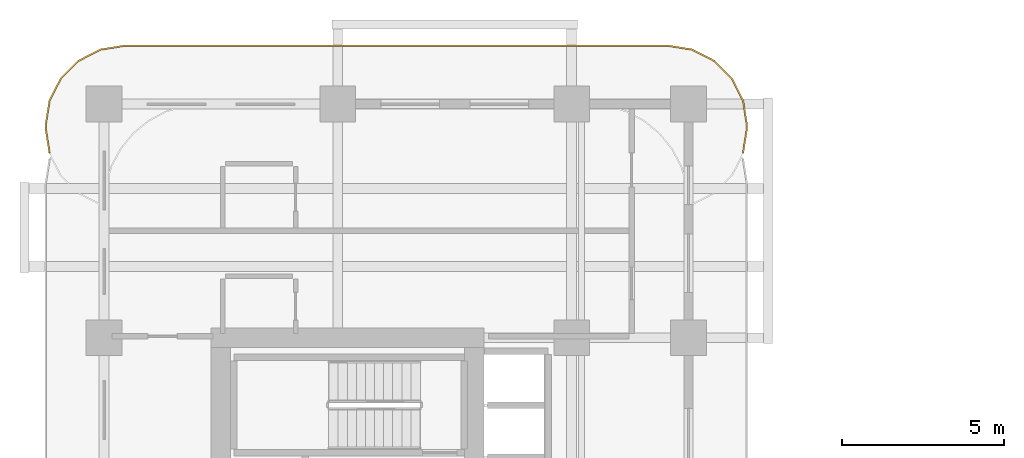
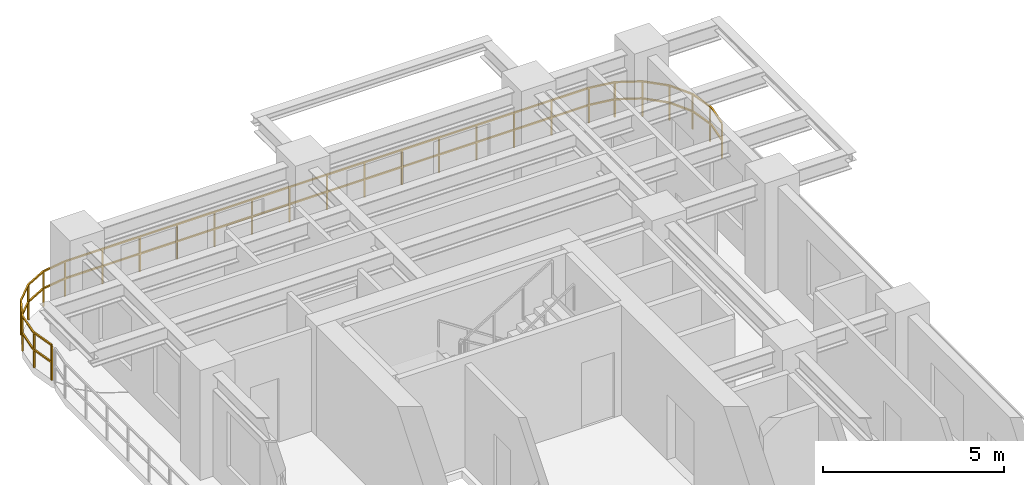
# One storey, part 18 of 18: 1 railing.
"""IFC4 building model written with IfcOpenShell, lengths in metres."""

from ifc_helpers import new_model, si_unit, derived_unit, direction, frame, origin, origin_2d, place, context, subcontext, project, spatial, rectangle, extrude, material, type_object, element, save


model = new_model("IFC4")

# Units and contexts
model_context = context("Model", 3, precision=1e-05, world=origin(), true_north=direction((0.0, 1.0)))
body_context = subcontext(model_context, "Body", "Model", "MODEL_VIEW")
ifc_project = project(units=[si_unit("LENGTHUNIT", "METRE"), si_unit("AREAUNIT", "SQUARE_METRE"), si_unit("VOLUMEUNIT", "CUBIC_METRE"), si_unit("PLANEANGLEUNIT", "RADIAN"), si_unit("MASSUNIT", "GRAM", prefix="KILO"), si_unit("THERMODYNAMICTEMPERATUREUNIT", "KELVIN"), si_unit("POWERUNIT", "WATT"), derived_unit("THERMALTRANSMITTANCEUNIT", [(si_unit("POWERUNIT", "WATT"), 1), (si_unit("AREAUNIT", "SQUARE_METRE"), -1), (si_unit("THERMODYNAMICTEMPERATUREUNIT", "KELVIN"), -1)])], contexts=[model_context])

# Site, building, storey
site_placement = place(None, origin())
site = spatial("IfcSite", under=ifc_project, at=site_placement, CompositionType="ELEMENT")
building_placement = place(site_placement, origin())
building = spatial("IfcBuilding", under=site, at=building_placement, Name="Zahravan Archway Hotel and Residences", CompositionType="ELEMENT")
storey_placement = place(building_placement, frame((0.0, 0.0, 36.10009765625)))
storey = spatial("IfcBuildingStorey", under=building, at=storey_placement, Name="L07", CompositionType="ELEMENT", Elevation=36.10009765625)

# Railing
ifc_material = material(Name="Bronze & Laminated Glass Balustrade", Category="glass")
railing_type = type_object("IfcRailingType", Name="RL-BAL-1200", PredefinedType="BALUSTRADE", material=ifc_material)
railing_placement = place(storey_placement, frame((-1.68017578125, 45.29296875, 0.0)))
element("IfcRailing", 1, at=railing_placement, inside=storey, type_object=railing_type, Name="L07 Balustrade RL-SLB-BAL-L07-NB-1", PredefinedType="BALUSTRADE", context=body_context, shape_type="SweptSolid", body=[
    extrude(rectangle(XDim=0.048095703125, YDim=0.048095703125, at=origin_2d()), frame((0.0, 0.0, 1.17578125), z_axis=(-0.156387811283, 0.987695728695, 0.0), x_axis=(-0.987695728695, -0.156387811283, 0.0)), (0.0, 0.0, 1.0), 0.7666015625),
    extrude(rectangle(XDim=0.048095703125, YDim=0.048095703125, at=origin_2d()), frame((0.0, 0.0, 0.60009765625), z_axis=(-0.156387811283, 0.987695728695, 0.0), x_axis=(-0.987695728695, -0.156387811283, 0.0)), (0.0, 0.0, 1.0), 0.7666015625),
    extrude(rectangle(XDim=0.048095703125, YDim=0.048095703125, at=origin_2d()), frame((-0.119873046875, 0.757080078125, 1.17578125), z_axis=(0.0, 1.0, 0.0), x_axis=(-1.0, 0.0, 0.0)), (0.0, 0.0, 1.0), 0.099853515625),
    extrude(rectangle(XDim=0.048095703125, YDim=0.048095703125, at=origin_2d()), frame((-0.119873046875, 0.757080078125, 0.60009765625), z_axis=(0.0, 1.0, 0.0), x_axis=(-1.0, 0.0, 0.0)), (0.0, 0.0, 1.0), 0.099853515625),
    extrude(rectangle(XDim=0.048095703125, YDim=0.048095703125, at=origin_2d()), frame((-0.119873046875, 0.85693359375, 1.17578125), z_axis=(0.156387811283, 0.987695728695, 0.0), x_axis=(-0.987695728695, 0.156387811283, 0.0)), (0.0, 0.0, 1.0), 0.7666015625),
    extrude(rectangle(XDim=0.048095703125, YDim=0.048095703125, at=origin_2d()), frame((-0.119873046875, 0.85693359375, 0.60009765625), z_axis=(0.156387811283, 0.987695728695, 0.0), x_axis=(-0.987695728695, 0.156387811283, 0.0)), (0.0, 0.0, 1.0), 0.7666015625),
    extrude(rectangle(XDim=0.048095703125, YDim=0.048095703125, at=origin_2d()), frame((0.0, 1.614013671875, 1.17578125), z_axis=(0.454078418624, 0.890961721815, 0.0), x_axis=(-0.890961721815, 0.454078418624, 0.0)), (0.0, 0.0, 1.0), 0.7666015625),
    extrude(rectangle(XDim=0.048095703125, YDim=0.048095703125, at=origin_2d()), frame((0.0, 1.614013671875, 0.60009765625), z_axis=(0.454078418624, 0.890961721815, 0.0), x_axis=(-0.890961721815, 0.454078418624, 0.0)), (0.0, 0.0, 1.0), 0.7666015625),
    extrude(rectangle(XDim=0.048095703125, YDim=0.048095703125, at=origin_2d()), frame((0.34814453125, 2.297119140625, 1.17578125), z_axis=(0.707106781187, 0.707106781187, 0.0), x_axis=(-0.707106781187, 0.707106781187, 0.0)), (0.0, 0.0, 1.0), 0.7666015625),
    extrude(rectangle(XDim=0.048095703125, YDim=0.048095703125, at=origin_2d()), frame((0.34814453125, 2.297119140625, 0.60009765625), z_axis=(0.707106781187, 0.707106781187, 0.0), x_axis=(-0.707106781187, 0.707106781187, 0.0)), (0.0, 0.0, 1.0), 0.7666015625),
    extrude(rectangle(XDim=0.048095703125, YDim=0.048095703125, at=origin_2d()), frame((0.89013671875, 2.839111328125, 1.17578125), z_axis=(0.891024909783, 0.453954414172, 0.0), x_axis=(-0.453954414172, 0.891024909783, 0.0)), (0.0, 0.0, 1.0), 0.766357421875),
    extrude(rectangle(XDim=0.048095703125, YDim=0.048095703125, at=origin_2d()), frame((0.89013671875, 2.839111328125, 0.60009765625), z_axis=(0.891024909783, 0.453954414172, 0.0), x_axis=(-0.453954414172, 0.891024909783, 0.0)), (0.0, 0.0, 1.0), 0.766357421875),
    extrude(rectangle(XDim=0.048095703125, YDim=0.048095703125, at=origin_2d()), frame((1.572998046875, 3.18701171875, 1.17578125), z_axis=(0.987646484274, 0.156698507018, 0.0), x_axis=(-0.156698507018, 0.987646484274, 0.0)), (0.0, 0.0, 1.0), 0.7666015625),
    extrude(rectangle(XDim=0.048095703125, YDim=0.048095703125, at=origin_2d()), frame((1.572998046875, 3.18701171875, 0.60009765625), z_axis=(0.987646484274, 0.156698507018, 0.0), x_axis=(-0.156698507018, 0.987646484274, 0.0)), (0.0, 0.0, 1.0), 0.7666015625),
    extrude(rectangle(XDim=0.048095703125, YDim=0.048095703125, at=origin_2d()), frame((2.330078125, 3.30712890625, 1.17578125), z_axis=(1.0, 0.0, 0.0), x_axis=(0.0, 1.0, 0.0)), (0.0, 0.0, 1.0), 16.7001953125),
    extrude(rectangle(XDim=0.048095703125, YDim=0.048095703125, at=origin_2d()), frame((2.330078125, 3.30712890625, 0.60009765625), z_axis=(1.0, 0.0, 0.0), x_axis=(0.0, 1.0, 0.0)), (0.0, 0.0, 1.0), 16.7001953125),
    extrude(rectangle(XDim=0.048095703125, YDim=0.048095703125, at=origin_2d()), frame((19.0302734375, 3.30712890625, 1.17578125), z_axis=(0.987646484274, -0.156698507018, 0.0), x_axis=(0.156698507018, 0.987646484274, 0.0)), (0.0, 0.0, 1.0), 0.7666015625),
    extrude(rectangle(XDim=0.048095703125, YDim=0.048095703125, at=origin_2d()), frame((19.0302734375, 3.30712890625, 0.60009765625), z_axis=(0.987646484274, -0.156698507018, 0.0), x_axis=(0.156698507018, 0.987646484274, 0.0)), (0.0, 0.0, 1.0), 0.7666015625),
    extrude(rectangle(XDim=0.048095703125, YDim=0.048095703125, at=origin_2d()), frame((19.787353515625, 3.18701171875, 1.17578125), z_axis=(0.891024909783, -0.453954414172, 0.0), x_axis=(0.453954414172, 0.891024909783, 0.0)), (0.0, 0.0, 1.0), 0.766357421875),
    extrude(rectangle(XDim=0.048095703125, YDim=0.048095703125, at=origin_2d()), frame((19.787353515625, 3.18701171875, 0.60009765625), z_axis=(0.891024909783, -0.453954414172, 0.0), x_axis=(0.453954414172, 0.891024909783, 0.0)), (0.0, 0.0, 1.0), 0.766357421875),
    extrude(rectangle(XDim=0.048095703125, YDim=0.048095703125, at=origin_2d()), frame((20.47021484375, 2.839111328125, 1.17578125), z_axis=(0.707106781187, -0.707106781187, 0.0), x_axis=(0.707106781187, 0.707106781187, 0.0)), (0.0, 0.0, 1.0), 0.7666015625),
    extrude(rectangle(XDim=0.048095703125, YDim=0.048095703125, at=origin_2d()), frame((20.47021484375, 2.839111328125, 0.60009765625), z_axis=(0.707106781187, -0.707106781187, 0.0), x_axis=(0.707106781187, 0.707106781187, 0.0)), (0.0, 0.0, 1.0), 0.7666015625),
    extrude(rectangle(XDim=0.048095703125, YDim=0.048095703125, at=origin_2d()), frame((21.01220703125, 2.297119140625, 1.17578125), z_axis=(0.454078418624, -0.890961721815, 0.0), x_axis=(0.890961721815, 0.454078418624, 0.0)), (0.0, 0.0, 1.0), 0.7666015625),
    extrude(rectangle(XDim=0.048095703125, YDim=0.048095703125, at=origin_2d()), frame((21.01220703125, 2.297119140625, 0.60009765625), z_axis=(0.454078418624, -0.890961721815, 0.0), x_axis=(0.890961721815, 0.454078418624, 0.0)), (0.0, 0.0, 1.0), 0.7666015625),
    extrude(rectangle(XDim=0.048095703125, YDim=0.048095703125, at=origin_2d()), frame((21.3603515625, 1.614013671875, 1.17578125), z_axis=(0.156387811283, -0.987695728695, 0.0), x_axis=(0.987695728695, 0.156387811283, 0.0)), (0.0, 0.0, 1.0), 0.7666015625),
    extrude(rectangle(XDim=0.048095703125, YDim=0.048095703125, at=origin_2d()), frame((21.3603515625, 1.614013671875, 0.60009765625), z_axis=(0.156387811283, -0.987695728695, 0.0), x_axis=(0.987695728695, 0.156387811283, 0.0)), (0.0, 0.0, 1.0), 0.7666015625),
    extrude(rectangle(XDim=0.048095703125, YDim=0.048095703125, at=origin_2d()), frame((21.480224609375, 0.85693359375, 1.17578125), z_axis=(0.0, -1.0, 0.0), x_axis=(1.0, 0.0, 0.0)), (0.0, 0.0, 1.0), 0.099853515625),
    extrude(rectangle(XDim=0.048095703125, YDim=0.048095703125, at=origin_2d()), frame((21.480224609375, 0.85693359375, 0.60009765625), z_axis=(0.0, -1.0, 0.0), x_axis=(1.0, 0.0, 0.0)), (0.0, 0.0, 1.0), 0.099853515625),
    extrude(rectangle(XDim=0.048095703125, YDim=0.048095703125, at=origin_2d()), frame((21.480224609375, 0.757080078125, 1.17578125), z_axis=(-0.156387811283, -0.987695728695, 0.0), x_axis=(0.987695728695, -0.156387811283, 0.0)), (0.0, 0.0, 1.0), 0.7666015625),
    extrude(rectangle(XDim=0.048095703125, YDim=0.048095703125, at=origin_2d()), frame((21.480224609375, 0.757080078125, 0.60009765625), z_axis=(-0.156387811283, -0.987695728695, 0.0), x_axis=(0.987695728695, -0.156387811283, 0.0)), (0.0, 0.0, 1.0), 0.7666015625),
    extrude(rectangle(XDim=0.0419921875, YDim=0.0419921875, at=origin_2d()), origin(), (0.0, 0.0, 1.0), 1.15185546875),
    extrude(rectangle(XDim=0.0419921875, YDim=0.0419921875, at=origin_2d()), frame((-0.119873046875, 0.757080078125, 0.0)), (0.0, 0.0, 1.0), 1.15185546875),
    extrude(rectangle(XDim=0.0419921875, YDim=0.0419921875, at=origin_2d()), frame((0.0, 1.614013671875, 0.0)), (0.0, 0.0, 1.0), 1.15185546875),
    extrude(rectangle(XDim=0.0419921875, YDim=0.0419921875, at=origin_2d()), frame((0.34814453125, 2.297119140625, 0.0)), (0.0, 0.0, 1.0), 1.15185546875),
    extrude(rectangle(XDim=0.0419921875, YDim=0.0419921875, at=origin_2d()), frame((0.89013671875, 2.839111328125, 0.0)), (0.0, 0.0, 1.0), 1.15185546875),
    extrude(rectangle(XDim=0.0419921875, YDim=0.0419921875, at=origin_2d()), frame((1.572998046875, 3.18701171875, 0.0)), (0.0, 0.0, 1.0), 1.15185546875),
    extrude(rectangle(XDim=0.0419921875, YDim=0.0419921875, at=origin_2d()), frame((2.330078125, 3.30712890625, 0.0)), (0.0, 0.0, 1.0), 1.15185546875),
    extrude(rectangle(XDim=0.0419921875, YDim=0.0419921875, at=origin_2d()), frame((3.52294921875, 3.30712890625, 0.0)), (0.0, 0.0, 1.0), 1.15185546875),
    extrude(rectangle(XDim=0.0419921875, YDim=0.0419921875, at=origin_2d()), frame((4.7158203125, 3.30712890625, 0.0)), (0.0, 0.0, 1.0), 1.15185546875),
    extrude(rectangle(XDim=0.0419921875, YDim=0.0419921875, at=origin_2d()), frame((5.90869140625, 3.30712890625, 0.0)), (0.0, 0.0, 1.0), 1.15185546875),
    extrude(rectangle(XDim=0.0419921875, YDim=0.0419921875, at=origin_2d()), frame((7.1015625, 3.30712890625, 0.0)), (0.0, 0.0, 1.0), 1.15185546875),
    extrude(rectangle(XDim=0.0419921875, YDim=0.0419921875, at=origin_2d()), frame((8.29443359375, 3.30712890625, 0.0)), (0.0, 0.0, 1.0), 1.15185546875),
    extrude(rectangle(XDim=0.0419921875, YDim=0.0419921875, at=origin_2d()), frame((9.4873046875, 3.30712890625, 0.0)), (0.0, 0.0, 1.0), 1.15185546875),
    extrude(rectangle(XDim=0.0419921875, YDim=0.0419921875, at=origin_2d()), frame((10.68017578125, 3.30712890625, 0.0)), (0.0, 0.0, 1.0), 1.15185546875),
    extrude(rectangle(XDim=0.0419921875, YDim=0.0419921875, at=origin_2d()), frame((11.873046875, 3.30712890625, 0.0)), (0.0, 0.0, 1.0), 1.15185546875),
    extrude(rectangle(XDim=0.0419921875, YDim=0.0419921875, at=origin_2d()), frame((13.06591796875, 3.30712890625, 0.0)), (0.0, 0.0, 1.0), 1.15185546875),
    extrude(rectangle(XDim=0.0419921875, YDim=0.0419921875, at=origin_2d()), frame((14.2587890625, 3.30712890625, 0.0)), (0.0, 0.0, 1.0), 1.15185546875),
    extrude(rectangle(XDim=0.0419921875, YDim=0.0419921875, at=origin_2d()), frame((15.45166015625, 3.30712890625, 0.0)), (0.0, 0.0, 1.0), 1.15185546875),
    extrude(rectangle(XDim=0.0419921875, YDim=0.0419921875, at=origin_2d()), frame((16.64453125, 3.30712890625, 0.0)), (0.0, 0.0, 1.0), 1.15185546875),
    extrude(rectangle(XDim=0.0419921875, YDim=0.0419921875, at=origin_2d()), frame((17.83740234375, 3.30712890625, 0.0)), (0.0, 0.0, 1.0), 1.15185546875),
    extrude(rectangle(XDim=0.0419921875, YDim=0.0419921875, at=origin_2d()), frame((19.0302734375, 3.30712890625, 0.0)), (0.0, 0.0, 1.0), 1.15185546875),
    extrude(rectangle(XDim=0.0419921875, YDim=0.0419921875, at=origin_2d()), frame((19.787353515625, 3.18701171875, 0.0)), (0.0, 0.0, 1.0), 1.15185546875),
    extrude(rectangle(XDim=0.0419921875, YDim=0.0419921875, at=origin_2d()), frame((20.47021484375, 2.839111328125, 0.0)), (0.0, 0.0, 1.0), 1.15185546875),
    extrude(rectangle(XDim=0.0419921875, YDim=0.0419921875, at=origin_2d()), frame((21.01220703125, 2.297119140625, 0.0)), (0.0, 0.0, 1.0), 1.15185546875),
    extrude(rectangle(XDim=0.0419921875, YDim=0.0419921875, at=origin_2d()), frame((21.3603515625, 1.614013671875, 0.0)), (0.0, 0.0, 1.0), 1.15185546875),
    extrude(rectangle(XDim=0.0419921875, YDim=0.0419921875, at=origin_2d()), frame((21.480224609375, 0.85693359375, 0.0)), (0.0, 0.0, 1.0), 1.15185546875),
    extrude(rectangle(XDim=0.0419921875, YDim=0.0419921875, at=origin_2d()), frame((21.3603515625, 0.0, 0.0)), (0.0, 0.0, 1.0), 1.15185546875),
])

save(model, "model.ifc")
